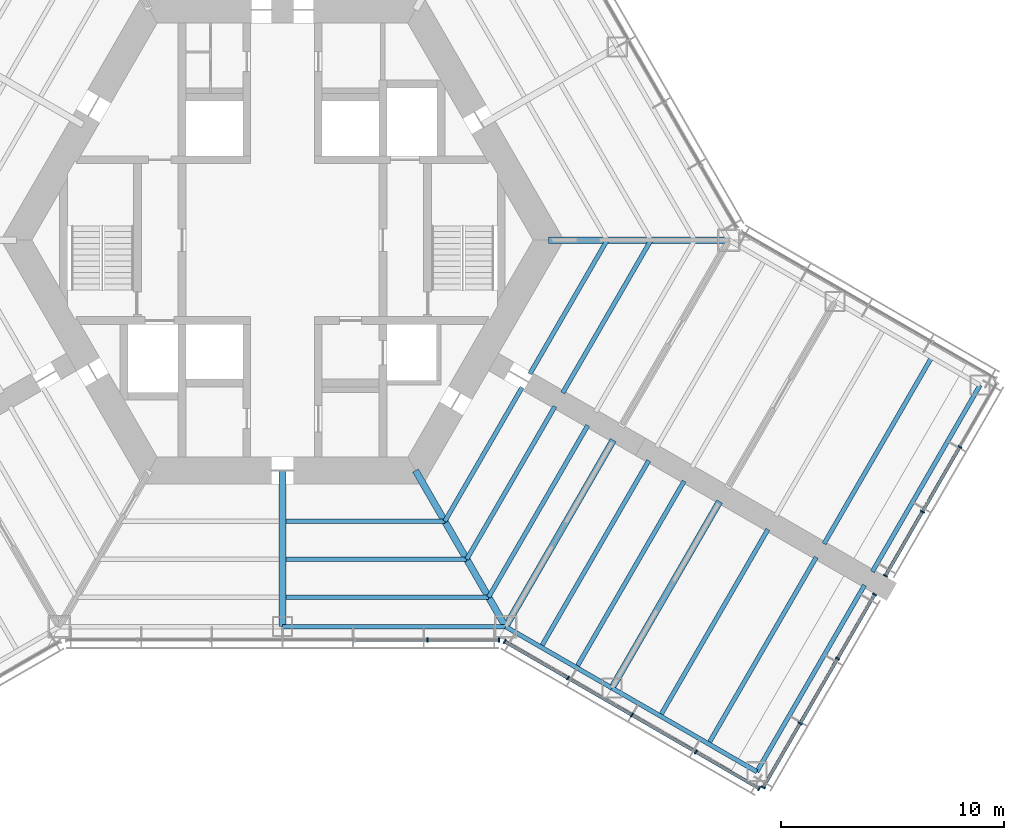
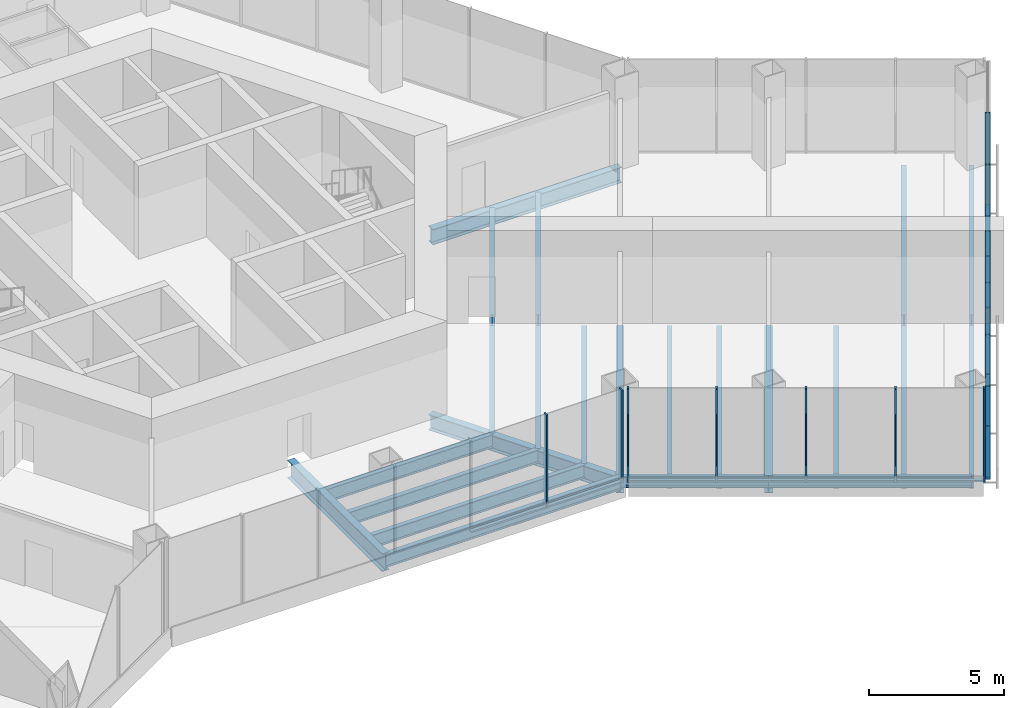
# One storey, part 4 of 15: 25 members, 23 beams, 4 elements without a shape of their own.
"""IFC4 building model written with IfcOpenShell, lengths in metres."""

from ifc_helpers import new_model, si_unit, direction, frame, origin, origin_2d, place, context, subcontext, project, spatial, rectangle, i_section, extrude, material, material_profile, profile_set, type_object, element, aggregate, save


model = new_model("IFC4")

# Units and contexts
model_context = context("Model", 3, precision=1e-05, world=origin(), true_north=direction((0.0, 1.0)))
body_context = subcontext(model_context, "Body", "Model", "MODEL_VIEW")
ifc_project = project(units=[si_unit("LENGTHUNIT", "METRE"), si_unit("AREAUNIT", "SQUARE_METRE"), si_unit("VOLUMEUNIT", "CUBIC_METRE"), si_unit("PLANEANGLEUNIT", "RADIAN"), si_unit("MASSUNIT", "GRAM", prefix="KILO")], contexts=[model_context])

# Site, building, storey
site_placement = place(None, origin())
site = spatial("IfcSite", under=ifc_project, at=site_placement, CompositionType="ELEMENT")
building_placement = place(site_placement, origin())
building = spatial("IfcBuilding", under=site, at=building_placement, Name="Kasaneha Research Tower", CompositionType="ELEMENT")
storey_placement = place(building_placement, frame((0.0, 0.0, 39.39990234375)))
storey = spatial("IfcBuildingStorey", under=building, at=storey_placement, Name="L10", CompositionType="ELEMENT", Elevation=39.39990234375)

# Beams
ifc_material_1 = material(Name="Steel SN490B", Category="steel")
ifc_material_profile_1 = material_profile(ifc_material_1, i_section(OverallWidth=0.199951171875, OverallDepth=0.60009765625, WebThickness=0.010986328125, FlangeThickness=0.01708984375, FilletRadius=0.012939453125, at=origin_2d()), Name="H-600x200x11x17")
ifc_profile_set_1 = profile_set([ifc_material_profile_1], Name="Steel SN490B")
beam_type_1 = type_object("IfcBeamType", Name="B1-2 secondary beam H-600x200x11x17", PredefinedType="JOIST", material=ifc_profile_set_1)
beam_1_placement = place(storey_placement, frame((7.274658203125, -12.60009765625, -0.469970703125), z_axis=(-1.0, 0.0, 0.0), x_axis=(0.0, -1.0, 0.0)))
element("IfcBeam", 1, at=beam_1_placement, inside=storey, type_object=beam_type_1, Name="Secondary beam RS270R1 L10", PredefinedType="JOIST", context=body_context, shape_type="SweptSolid", body=[
    extrude(i_section(OverallWidth=0.199951171875, OverallDepth=0.60009765625, WebThickness=0.010986328125, FlangeThickness=0.01708984375, FilletRadius=0.012939453125, at=origin_2d()), origin(), (0.0, 0.0, 1.0), 7.124755859375),
])
beam_2_placement = place(storey_placement, frame((8.256103515625, -14.300048828125, -0.469970703125), z_axis=(-1.0, 0.0, 0.0), x_axis=(0.0, -1.0, 0.0)))
element("IfcBeam", 2, at=beam_2_placement, inside=storey, type_object=beam_type_1, Name="Secondary beam RS270R2 L10", PredefinedType="JOIST", context=body_context, shape_type="SweptSolid", body=[
    extrude(i_section(OverallWidth=0.199951171875, OverallDepth=0.60009765625, WebThickness=0.010986328125, FlangeThickness=0.01708984375, FilletRadius=0.012939453125, at=origin_2d()), origin(), (0.0, 0.0, 1.0), 8.106201171875),
])
beam_3_placement = place(storey_placement, frame((9.237548828125, -16.0, -0.469970703125), z_axis=(-1.0, 0.0, 0.0), x_axis=(0.0, -1.0, 0.0)))
element("IfcBeam", 3, at=beam_3_placement, inside=storey, type_object=beam_type_1, Name="Secondary beam RS270R3 L10", PredefinedType="JOIST", context=body_context, shape_type="SweptSolid", body=[
    extrude(i_section(OverallWidth=0.199951171875, OverallDepth=0.60009765625, WebThickness=0.010986328125, FlangeThickness=0.01708984375, FilletRadius=0.012939453125, at=origin_2d()), origin(), (0.0, 0.0, 1.0), 9.087646484375),
])
beam_4_placement = place(storey_placement, frame((7.274658203125, -12.60009765625, -0.469970703125), z_axis=(0.499972710878, 0.866041158593, 0.0), x_axis=(-0.866041158593, 0.499972710878, 0.0)))
element("IfcBeam", 4, at=beam_4_placement, inside=storey, type_object=beam_type_1, Name="Secondary beam RS330L1 L10", PredefinedType="JOIST", context=body_context, shape_type="SweptSolid", body=[
    extrude(i_section(OverallWidth=0.199951171875, OverallDepth=0.60009765625, WebThickness=0.010986328125, FlangeThickness=0.01708984375, FilletRadius=0.012939453125, at=origin_2d()), origin(), (0.0, 0.0, 1.0), 6.9248046875),
])
beam_5_placement = place(storey_placement, frame((8.256103515625, -14.300048828125, -0.469970703125), z_axis=(0.500004902938, 0.866022573054, 0.0), x_axis=(-0.866022573054, 0.500004902938, 0.0)))
element("IfcBeam", 5, at=beam_5_placement, inside=storey, type_object=beam_type_1, Name="Secondary beam RS330L2 L10", PredefinedType="JOIST", context=body_context, shape_type="SweptSolid", body=[
    extrude(i_section(OverallWidth=0.199951171875, OverallDepth=0.60009765625, WebThickness=0.010986328125, FlangeThickness=0.01708984375, FilletRadius=0.012939453125, at=origin_2d()), origin(), (0.0, 0.0, 1.0), 7.90625),
])
beam_6_placement = place(storey_placement, frame((9.237548828125, -16.0, -0.469970703125), z_axis=(0.500009382636, 0.866019986649, 0.0), x_axis=(-0.866019986649, 0.500009382636, 0.0)))
element("IfcBeam", 6, at=beam_6_placement, inside=storey, type_object=beam_type_1, Name="Secondary beam RS330L3 L10", PredefinedType="JOIST", context=body_context, shape_type="SweptSolid", body=[
    extrude(i_section(OverallWidth=0.199951171875, OverallDepth=0.60009765625, WebThickness=0.010986328125, FlangeThickness=0.01708984375, FilletRadius=0.012939453125, at=origin_2d()), origin(), (0.0, 0.0, 1.0), 8.887451171875),
])
beam_7_placement = place(storey_placement, frame((14.54931640625, 0.0, -0.469970703125), z_axis=(-0.500014420154, -0.866017078145, 0.0), x_axis=(0.866017078145, -0.500014420154, 0.0)))
element("IfcBeam", 7, at=beam_7_placement, inside=storey, type_object=beam_type_1, Name="Secondary beam RS330R1 L10", PredefinedType="JOIST", context=body_context, shape_type="SweptSolid", body=[
    extrude(i_section(OverallWidth=0.199951171875, OverallDepth=0.60009765625, WebThickness=0.010986328125, FlangeThickness=0.01708984375, FilletRadius=0.012939453125, at=origin_2d()), origin(), (0.0, 0.0, 1.0), 6.924560546875),
])
beam_8_placement = place(storey_placement, frame((16.51220703125, 0.0, -0.469970703125), z_axis=(-0.500004902938, -0.866022573054, 0.0), x_axis=(0.866022573054, -0.500004902938, 0.0)))
element("IfcBeam", 8, at=beam_8_placement, inside=storey, type_object=beam_type_1, Name="Secondary beam RS330R2 L10", PredefinedType="JOIST", context=body_context, shape_type="SweptSolid", body=[
    extrude(i_section(OverallWidth=0.199951171875, OverallDepth=0.60009765625, WebThickness=0.010986328125, FlangeThickness=0.01708984375, FilletRadius=0.012939453125, at=origin_2d()), origin(), (0.0, 0.0, 1.0), 7.90625),
])
ifc_material_2 = material(Name="Steel SN490B", Category="steel")
ifc_material_profile_2 = material_profile(ifc_material_2, i_section(OverallWidth=0.198974609375, OverallDepth=0.595947265625, WebThickness=0.010009765625, FlangeThickness=0.014892578125, FilletRadius=0.012939453125, at=origin_2d()), Name="H-596x199x10x15")
ifc_profile_set_2 = profile_set([ifc_material_profile_2], Name="Steel SN490B")
beam_type_2 = type_object("IfcBeamType", Name="B2-2 secondary beam H-596x199x10x15", PredefinedType="JOIST", material=ifc_profile_set_2)
for number, where, z_axis, x_axis, name in (
    (9, (11.587646484375, -18.237060546875, -0.468017578125), (0.50000569793, 0.866022114058, 0.0), (-0.866022114058, 0.50000569793, 0.0), "Secondary beam WBCP1 L10"),
    (10, (13.175537109375, -19.15380859375, -0.468017578125), (0.499994742786, 0.866028439017, 0.0), (-0.866028439017, 0.499994742786, 0.0), "Secondary beam WBCP2 L10"),
    (11, (16.92822265625, -21.320556640625, -0.468017578125), (0.499994742786, 0.866028439017, 0.0), (-0.866028439017, 0.499994742786, 0.0), "Secondary beam WBCP3 L10"),
    (12, (19.09326171875, -22.570556640625, -0.468017578125), (0.499994742786, 0.866028439017, 0.0), (-0.866028439017, 0.499994742786, 0.0), "Secondary beam WBCP4 L10"),
    (13, (29.09326171875, -5.25, -0.468017578125), (-0.499994742786, -0.866028439017, 0.0), (0.866028439017, -0.499994742786, 0.0), "Secondary beam WBCN4 L10"),
):
    element("IfcBeam", number, at=place(storey_placement, frame(where, z_axis=z_axis, x_axis=x_axis)), inside=storey, type_object=beam_type_2, Name=name, PredefinedType="JOIST", context=body_context, shape_type="SweptSolid", body=[
        extrude(i_section(OverallWidth=0.198974609375, OverallDepth=0.595947265625, WebThickness=0.010009765625, FlangeThickness=0.014892578125, FilletRadius=0.012939453125, at=origin_2d()), origin(), (0.0, 0.0, 1.0), 9.64990234375),
    ])

# Curtain wall, members
ifc_material_3 = material(Name="Glass and aluminium", Category="aluminium")
curtain_wall_type = type_object("IfcCurtainWallType", Name="Dry laboratory curtain wall", PredefinedType="USERDEFINED", material=ifc_material_3)
curtain_wall_1_placement = place(storey_placement, origin())
curtain_wall_1 = element("IfcCurtainWall", 14, at=curtain_wall_1_placement, inside=storey, type_object=curtain_wall_type, Name="CW-L2 L10 run 02a", ObjectType="UNITISED CURTAIN WALL", PredefinedType="USERDEFINED")
ifc_material_4 = material(Name="Aluminium 6063-T6", Category="aluminium")
ifc_material_profile_3 = material_profile(ifc_material_4, rectangle(XDim=0.06494140625, YDim=0.199951171875, at=origin_2d()), Name="CW-L2 mullion 65x200")
ifc_profile_set_3 = profile_set([ifc_material_profile_3], Name="Aluminium 6063-T6")
member_type_1 = type_object("IfcMemberType", Name="CW-L2 mullion", PredefinedType="MULLION", material=ifc_profile_set_3)
member_1_placement = place(storey_placement, frame((6.492919921875, -17.92041015625, 0.0), z_axis=(0.0, 0.0, 1.0), x_axis=(1.0, 0.0, 0.0)))
member_1 = element("IfcMember", 15, at=member_1_placement, type_object=member_type_1, Name="CW-L2 mullion 6", PredefinedType="MULLION", context=body_context, shape_type="SweptSolid", body=[
    extrude(rectangle(XDim=0.06494140625, YDim=0.199951171875, at=origin_2d()), origin(), (0.0, 0.0, 1.0), 4.2001953125),
])
member_2_placement = place(storey_placement, frame((9.706787109375, -17.92041015625, 0.0), z_axis=(0.0, 0.0, 1.0), x_axis=(1.0, 0.0, 0.0)))
member_2 = element("IfcMember", 16, at=member_2_placement, type_object=member_type_1, Name="CW-L2 mullion 7", PredefinedType="MULLION", context=body_context, shape_type="SweptSolid", body=[
    extrude(rectangle(XDim=0.06494140625, YDim=0.199951171875, at=origin_2d()), origin(), (0.0, 0.0, 1.0), 4.2001953125),
])

curtain_wall_2_placement = place(storey_placement, origin())
curtain_wall_2 = element("IfcCurtainWall", 17, at=curtain_wall_2_placement, inside=storey, type_object=curtain_wall_type, Name="CW-L2 L10 run 03a", ObjectType="UNITISED CURTAIN WALL", PredefinedType="USERDEFINED")
member_3_placement = place(storey_placement, frame((9.953857421875, -17.98681640625, 0.0), z_axis=(0.0, 0.0, 1.0), x_axis=(0.866025411464, -0.499999986699, 0.0)))
member_3 = element("IfcMember", 18, at=member_3_placement, type_object=member_type_1, Name="CW-L2 mullion 1", PredefinedType="MULLION", context=body_context, shape_type="SweptSolid", body=[
    extrude(rectangle(XDim=0.06494140625, YDim=0.199951171875, at=origin_2d()), origin(), (0.0, 0.0, 1.0), 4.2001953125),
])
member_4_placement = place(storey_placement, frame((12.792236328125, -19.62548828125, 0.0), z_axis=(0.0, 0.0, 1.0), x_axis=(0.866025411464, -0.499999986699, 0.0)))
member_4 = element("IfcMember", 19, at=member_4_placement, type_object=member_type_1, Name="CW-L2 mullion 2", PredefinedType="MULLION", context=body_context, shape_type="SweptSolid", body=[
    extrude(rectangle(XDim=0.06494140625, YDim=0.199951171875, at=origin_2d()), origin(), (0.0, 0.0, 1.0), 4.2001953125),
])
member_5_placement = place(storey_placement, frame((15.65869140625, -21.2802734375, 0.0), z_axis=(0.0, 0.0, 1.0), x_axis=(0.866025411464, -0.499999986699, 0.0)))
member_5 = element("IfcMember", 20, at=member_5_placement, type_object=member_type_1, Name="CW-L2 mullion 3", PredefinedType="MULLION", context=body_context, shape_type="SweptSolid", body=[
    extrude(rectangle(XDim=0.06494140625, YDim=0.199951171875, at=origin_2d()), origin(), (0.0, 0.0, 1.0), 4.2001953125),
])
member_6_placement = place(storey_placement, frame((18.52490234375, -22.935302734375, 0.0), z_axis=(0.0, 0.0, 1.0), x_axis=(0.866025411464, -0.499999986699, 0.0)))
member_6 = element("IfcMember", 21, at=member_6_placement, type_object=member_type_1, Name="CW-L2 mullion 4", PredefinedType="MULLION", context=body_context, shape_type="SweptSolid", body=[
    extrude(rectangle(XDim=0.06494140625, YDim=0.199951171875, at=origin_2d()), origin(), (0.0, 0.0, 1.0), 4.2001953125),
])
member_7_placement = place(storey_placement, frame((21.36328125, -24.573974609375, 0.0), z_axis=(0.0, 0.0, 1.0), x_axis=(0.866025411464, -0.499999986699, 0.0)))
member_7 = element("IfcMember", 22, at=member_7_placement, type_object=member_type_1, Name="CW-L2 mullion 5", PredefinedType="MULLION", context=body_context, shape_type="SweptSolid", body=[
    extrude(rectangle(XDim=0.06494140625, YDim=0.199951171875, at=origin_2d()), origin(), (0.0, 0.0, 1.0), 4.2001953125),
])

curtain_wall_3_placement = place(storey_placement, origin())
curtain_wall_3 = element("IfcCurtainWall", 23, at=curtain_wall_3_placement, inside=storey, type_object=curtain_wall_type, Name="CW-L2 L10 run 04a", ObjectType="UNITISED CURTAIN WALL", PredefinedType="USERDEFINED")
member_8_placement = place(storey_placement, frame((21.544189453125, -24.525390625, 0.0), z_axis=(0.0, 0.0, 1.0), x_axis=(0.500000011442, 0.866025397178, 0.0)))
member_8 = element("IfcMember", 24, at=member_8_placement, type_object=member_type_1, Name="CW-L2 mullion 1", PredefinedType="MULLION", context=body_context, shape_type="SweptSolid", body=[
    extrude(rectangle(XDim=0.06494140625, YDim=0.199951171875, at=origin_2d()), origin(), (0.0, 0.0, 1.0), 4.2001953125),
])
member_9_placement = place(storey_placement, frame((23.202880859375, -21.65234375, 0.0), z_axis=(0.0, 0.0, 1.0), x_axis=(0.500000011442, 0.866025397178, 0.0)))
member_9 = element("IfcMember", 25, at=member_9_placement, type_object=member_type_1, Name="CW-L2 mullion 2", PredefinedType="MULLION", context=body_context, shape_type="SweptSolid", body=[
    extrude(rectangle(XDim=0.06494140625, YDim=0.199951171875, at=origin_2d()), origin(), (0.0, 0.0, 1.0), 4.2001953125),
])
member_10_placement = place(storey_placement, frame((24.8779296875, -18.751220703125, 0.0), z_axis=(0.0, 0.0, 1.0), x_axis=(0.500000011442, 0.866025397178, 0.0)))
member_10 = element("IfcMember", 26, at=member_10_placement, type_object=member_type_1, Name="CW-L2 mullion 3", PredefinedType="MULLION", context=body_context, shape_type="SweptSolid", body=[
    extrude(rectangle(XDim=0.06494140625, YDim=0.199951171875, at=origin_2d()), origin(), (0.0, 0.0, 1.0), 4.2001953125),
])
member_11_placement = place(storey_placement, frame((26.53662109375, -15.878173828125, 0.0), z_axis=(0.0, 0.0, 1.0), x_axis=(0.500000011442, 0.866025397178, 0.0)))
member_11 = element("IfcMember", 27, at=member_11_placement, type_object=member_type_1, Name="CW-L2 mullion 4", PredefinedType="MULLION", context=body_context, shape_type="SweptSolid", body=[
    extrude(rectangle(XDim=0.06494140625, YDim=0.199951171875, at=origin_2d()), origin(), (0.0, 0.0, 1.0), 4.2001953125),
])

curtain_wall_4_placement = place(storey_placement, origin())
curtain_wall_4 = element("IfcCurtainWall", 28, at=curtain_wall_4_placement, inside=storey, type_object=curtain_wall_type, Name="CW-L2 L10 run 05a", ObjectType="UNITISED CURTAIN WALL", PredefinedType="USERDEFINED")
member_12_placement = place(storey_placement, frame((27.019287109375, -15.04248046875, 0.0), z_axis=(0.0, 0.0, 1.0), x_axis=(0.500000011442, 0.866025397178, 0.0)))
member_12 = element("IfcMember", 29, at=member_12_placement, type_object=member_type_1, Name="CW-L2 mullion 1", PredefinedType="MULLION", context=body_context, shape_type="SweptSolid", body=[
    extrude(rectangle(XDim=0.06494140625, YDim=0.199951171875, at=origin_2d()), origin(), (0.0, 0.0, 1.0), 4.2001953125),
])
member_13_placement = place(storey_placement, frame((28.677978515625, -12.16943359375, 0.0), z_axis=(0.0, 0.0, 1.0), x_axis=(0.500000011442, 0.866025397178, 0.0)))
member_13 = element("IfcMember", 30, at=member_13_placement, type_object=member_type_1, Name="CW-L2 mullion 2", PredefinedType="MULLION", context=body_context, shape_type="SweptSolid", body=[
    extrude(rectangle(XDim=0.06494140625, YDim=0.199951171875, at=origin_2d()), origin(), (0.0, 0.0, 1.0), 4.2001953125),
])
member_14_placement = place(storey_placement, frame((30.35302734375, -9.26806640625, 0.0), z_axis=(0.0, 0.0, 1.0), x_axis=(0.500000011442, 0.866025397178, 0.0)))
member_14 = element("IfcMember", 31, at=member_14_placement, type_object=member_type_1, Name="CW-L2 mullion 3", PredefinedType="MULLION", context=body_context, shape_type="SweptSolid", body=[
    extrude(rectangle(XDim=0.06494140625, YDim=0.199951171875, at=origin_2d()), origin(), (0.0, 0.0, 1.0), 4.2001953125),
])

# Member
ifc_material_5 = material(Name="Aluminium 6063-T6", Category="aluminium")
ifc_material_profile_4 = material_profile(ifc_material_5, rectangle(XDim=0.14990234375, YDim=0.06494140625, at=origin_2d()), Name="CW-L2 transom 150x65")
ifc_profile_set_4 = profile_set([ifc_material_profile_4], Name="Aluminium 6063-T6")
member_type_2 = type_object("IfcMemberType", Name="CW-L2 transom", PredefinedType="USERDEFINED", material=ifc_profile_set_4)
member_15_placement = place(storey_placement, frame((3.27880859375, -17.92041015625, 0.03271484375), z_axis=(1.0, 0.0, 0.0), x_axis=(0.0, 1.0, 0.0)))
member_15 = element("IfcMember", 32, at=member_15_placement, type_object=member_type_2, Name="CW-L2 transom 5", ObjectType="TRANSOM", PredefinedType="USERDEFINED", context=body_context, shape_type="SweptSolid", body=[
    extrude(rectangle(XDim=0.14990234375, YDim=0.06494140625, at=origin_2d()), origin(), (0.0, 0.0, 1.0), 3.181396484375),
])

member_16_placement = place(storey_placement, frame((6.525390625, -17.92041015625, 0.03271484375), z_axis=(1.0, 0.0, 0.0), x_axis=(0.0, 1.0, 0.0)))
member_16 = element("IfcMember", 33, at=member_16_placement, type_object=member_type_2, Name="CW-L2 transom 6", ObjectType="TRANSOM", PredefinedType="USERDEFINED", context=body_context, shape_type="SweptSolid", body=[
    extrude(rectangle(XDim=0.14990234375, YDim=0.06494140625, at=origin_2d()), origin(), (0.0, 0.0, 1.0), 3.14892578125),
])

aggregate(curtain_wall_1, [member_1, member_2, member_15, member_16])

member_17_placement = place(storey_placement, frame((9.982177734375, -18.0029296875, 0.03271484375), z_axis=(0.866022320763, -0.500005339912, 0.0), x_axis=(0.500005339912, 0.866022320763, 0.0)))
member_17 = element("IfcMember", 34, at=member_17_placement, type_object=member_type_2, Name="CW-L2 transom 1", ObjectType="TRANSOM", PredefinedType="USERDEFINED", context=body_context, shape_type="SweptSolid", body=[
    extrude(rectangle(XDim=0.14990234375, YDim=0.06494140625, at=origin_2d()), origin(), (0.0, 0.0, 1.0), 3.21240234375),
])

member_18_placement = place(storey_placement, frame((12.8203125, -19.6416015625, 0.03271484375), z_axis=(0.866002649306, -0.500039409842, 0.0), x_axis=(0.500039409842, 0.866002649306, 0.0)))
member_18 = element("IfcMember", 35, at=member_18_placement, type_object=member_type_2, Name="CW-L2 transom 2", ObjectType="TRANSOM", PredefinedType="USERDEFINED", context=body_context, shape_type="SweptSolid", body=[
    extrude(rectangle(XDim=0.14990234375, YDim=0.06494140625, at=origin_2d()), origin(), (0.0, 0.0, 1.0), 3.244873046875),
])

member_19_placement = place(storey_placement, frame((15.686767578125, -21.296630859375, 0.03271484375), z_axis=(0.866035229914, -0.499982980259, 0.0), x_axis=(0.499982980259, 0.866035229914, 0.0)))
member_19 = element("IfcMember", 36, at=member_19_placement, type_object=member_type_2, Name="CW-L2 transom 3", ObjectType="TRANSOM", PredefinedType="USERDEFINED", context=body_context, shape_type="SweptSolid", body=[
    extrude(rectangle(XDim=0.14990234375, YDim=0.06494140625, at=origin_2d()), origin(), (0.0, 0.0, 1.0), 3.24462890625),
])

member_20_placement = place(storey_placement, frame((18.55322265625, -22.951416015625, 0.03271484375), z_axis=(0.86600331843, -0.500038251005, 0.0), x_axis=(0.500038251005, 0.86600331843, 0.0)))
member_20 = element("IfcMember", 37, at=member_20_placement, type_object=member_type_2, Name="CW-L2 transom 4", ObjectType="TRANSOM", PredefinedType="USERDEFINED", context=body_context, shape_type="SweptSolid", body=[
    extrude(rectangle(XDim=0.14990234375, YDim=0.06494140625, at=origin_2d()), origin(), (0.0, 0.0, 1.0), 3.212158203125),
])

aggregate(curtain_wall_2, [member_3, member_4, member_5, member_6, member_7, member_17, member_18, member_19, member_20])

member_21_placement = place(storey_placement, frame((21.560546875, -24.497314453125, 0.03271484375), z_axis=(0.499973687205, 0.866040594951, 0.0), x_axis=(-0.866040594951, 0.499973687205, 0.0)))
member_21 = element("IfcMember", 38, at=member_21_placement, type_object=member_type_2, Name="CW-L2 transom 1", ObjectType="TRANSOM", PredefinedType="USERDEFINED", context=body_context, shape_type="SweptSolid", body=[
    extrude(rectangle(XDim=0.14990234375, YDim=0.06494140625, at=origin_2d()), origin(), (0.0, 0.0, 1.0), 3.252685546875),
])

member_22_placement = place(storey_placement, frame((23.21923828125, -21.624267578125, 0.03271484375), z_axis=(0.50000765355, 0.86602098496, 0.0), x_axis=(-0.86602098496, 0.50000765355, 0.0)))
member_22 = element("IfcMember", 39, at=member_22_placement, type_object=member_type_2, Name="CW-L2 transom 2", ObjectType="TRANSOM", PredefinedType="USERDEFINED", context=body_context, shape_type="SweptSolid", body=[
    extrude(rectangle(XDim=0.14990234375, YDim=0.06494140625, at=origin_2d()), origin(), (0.0, 0.0, 1.0), 3.28515625),
])

member_23_placement = place(storey_placement, frame((24.894287109375, -18.722900390625, 0.03271484375), z_axis=(0.500006189695, 0.866021830133, 0.0), x_axis=(-0.866021830133, 0.500006189695, 0.0)))
member_23 = element("IfcMember", 40, at=member_23_placement, type_object=member_type_2, Name="CW-L2 transom 3", ObjectType="TRANSOM", PredefinedType="USERDEFINED", context=body_context, shape_type="SweptSolid", body=[
    extrude(rectangle(XDim=0.14990234375, YDim=0.06494140625, at=origin_2d()), origin(), (0.0, 0.0, 1.0), 3.25244140625),
])

aggregate(curtain_wall_3, [member_8, member_9, member_10, member_11, member_21, member_22, member_23])

member_24_placement = place(storey_placement, frame((27.035400390625, -15.01416015625, 0.03271484375), z_axis=(0.500006189695, 0.866021830133, 0.0), x_axis=(-0.866021830133, 0.500006189695, 0.0)))
member_24 = element("IfcMember", 41, at=member_24_placement, type_object=member_type_2, Name="CW-L2 transom 1", ObjectType="TRANSOM", PredefinedType="USERDEFINED", context=body_context, shape_type="SweptSolid", body=[
    extrude(rectangle(XDim=0.14990234375, YDim=0.06494140625, at=origin_2d()), origin(), (0.0, 0.0, 1.0), 3.25244140625),
])

member_25_placement = place(storey_placement, frame((28.694091796875, -12.14111328125, 0.03271484375), z_axis=(0.500039835994, 0.866002403241, 0.0), x_axis=(-0.866002403241, 0.500039835994, 0.0)))
member_25 = element("IfcMember", 42, at=member_25_placement, type_object=member_type_2, Name="CW-L2 transom 2", ObjectType="TRANSOM", PredefinedType="USERDEFINED", context=body_context, shape_type="SweptSolid", body=[
    extrude(rectangle(XDim=0.14990234375, YDim=0.06494140625, at=origin_2d()), origin(), (0.0, 0.0, 1.0), 3.284912109375),
])

aggregate(curtain_wall_4, [member_12, member_13, member_14, member_24, member_25])

# Beams
ifc_material_6 = material(Name="Steel SN490B", Category="steel")
ifc_material_profile_5 = material_profile(ifc_material_6, i_section(OverallWidth=0.300048828125, OverallDepth=0.699951171875, WebThickness=0.012939453125, FlangeThickness=0.02392578125, FilletRadius=0.01806640625, at=origin_2d()), Name="H-700x300x13x24")
ifc_profile_set_5 = profile_set([ifc_material_profile_5], Name="Steel SN490B")
beam_type_3 = type_object("IfcBeamType", Name="G1-2 radial girder H-700x300x13x24", PredefinedType="BEAM", material=ifc_profile_set_5)
beam_9_placement = place(storey_placement, frame((11.92236328125, 0.0, -0.52001953125), z_axis=(1.0, 0.0, 0.0), x_axis=(0.0, 1.0, 0.0)))
element("IfcBeam", 43, at=beam_9_placement, inside=storey, type_object=beam_type_3, Name="Radial girder RV000 L10", PredefinedType="BEAM", context=body_context, shape_type="SweptSolid", body=[
    extrude(i_section(OverallWidth=0.300048828125, OverallDepth=0.699951171875, WebThickness=0.012939453125, FlangeThickness=0.02392578125, FilletRadius=0.01806640625, at=origin_2d()), origin(), (0.0, 0.0, 1.0), 8.07763671875),
])
beam_10_placement = place(storey_placement, frame((5.961181640625, -10.324951171875, -0.52001953125), z_axis=(0.49999105496, -0.866030568144, 0.0), x_axis=(0.866030568144, 0.49999105496, 0.0)))
element("IfcBeam", 44, at=beam_10_placement, inside=storey, type_object=beam_type_3, Name="Radial girder RV300 L10", PredefinedType="BEAM", context=body_context, shape_type="SweptSolid", body=[
    extrude(i_section(OverallWidth=0.300048828125, OverallDepth=0.699951171875, WebThickness=0.012939453125, FlangeThickness=0.02392578125, FilletRadius=0.01806640625, at=origin_2d()), origin(), (0.0, 0.0, 1.0), 8.077880859375),
])
ifc_material_7 = material(Name="Steel SN490B", Category="steel")
ifc_material_profile_6 = material_profile(ifc_material_7, i_section(OverallWidth=0.300048828125, OverallDepth=0.800048828125, WebThickness=0.013916015625, FlangeThickness=0.02587890625, FilletRadius=0.01806640625, at=origin_2d()), Name="H-800x300x14x26")
ifc_profile_set_6 = profile_set([ifc_material_profile_6], Name="Steel SN490B")
beam_type_4 = type_object("IfcBeamType", Name="G2-2 radial girder H-800x300x14x26", PredefinedType="BEAM", material=ifc_profile_set_6)
beam_11_placement = place(storey_placement, frame((0.0, -10.324951171875, -0.56982421875), z_axis=(0.0, -1.0, 0.0), x_axis=(1.0, 0.0, 0.0)))
element("IfcBeam", 45, at=beam_11_placement, inside=storey, type_object=beam_type_4, Name="Radial girder RM270 L10", PredefinedType="BEAM", context=body_context, shape_type="SweptSolid", body=[
    extrude(i_section(OverallWidth=0.300048828125, OverallDepth=0.800048828125, WebThickness=0.013916015625, FlangeThickness=0.02587890625, FilletRadius=0.01806640625, at=origin_2d()), origin(), (0.0, 0.0, 1.0), 6.99560546875),
])
ifc_material_8 = material(Name="Steel SN490B", Category="steel")
ifc_material_profile_7 = material_profile(ifc_material_8, i_section(OverallWidth=0.300048828125, OverallDepth=0.7919921875, WebThickness=0.013916015625, FlangeThickness=0.02197265625, FilletRadius=0.01806640625, at=origin_2d()), Name="H-792x300x14x22")
ifc_profile_set_7 = profile_set([ifc_material_profile_7], Name="Steel SN490B")
beam_type_5 = type_object("IfcBeamType", Name="G3-2 plate edge girder H-792x300x14x22", PredefinedType="BEAM", material=ifc_profile_set_7)
beam_12_placement = place(storey_placement, frame((10.0, -17.320556640625, -0.56591796875), z_axis=(0.499994742786, 0.866028439017, 0.0), x_axis=(-0.866028439017, 0.499994742786, 0.0)))
element("IfcBeam", 46, at=beam_12_placement, inside=storey, type_object=beam_type_5, Name="Plate edge girder PECP L10", PredefinedType="BEAM", context=body_context, shape_type="SweptSolid", body=[
    extrude(i_section(OverallWidth=0.300048828125, OverallDepth=0.7919921875, WebThickness=0.013916015625, FlangeThickness=0.02197265625, FilletRadius=0.01806640625, at=origin_2d()), origin(), (0.0, 0.0, 1.0), 9.64990234375),
])
ifc_material_9 = material(Name="Steel SN490B", Category="steel")
ifc_material_profile_8 = material_profile(ifc_material_9, i_section(OverallWidth=0.300048828125, OverallDepth=0.800048828125, WebThickness=0.013916015625, FlangeThickness=0.02587890625, FilletRadius=0.01806640625, at=origin_2d()), Name="H-800x300x14x26")
ifc_profile_set_8 = profile_set([ifc_material_profile_8], Name="Steel SN490B")
beam_type_6 = type_object("IfcBeamType", Name="G4-2 wing girder H-800x300x14x26", PredefinedType="BEAM", material=ifc_profile_set_8)
beam_13_placement = place(storey_placement, frame((14.76318359375, -20.070556640625, -0.56982421875), z_axis=(0.499994742786, 0.866028439017, 0.0), x_axis=(-0.866028439017, 0.499994742786, 0.0)))
element("IfcBeam", 47, at=beam_13_placement, inside=storey, type_object=beam_type_6, Name="Wing girder WGCP L10", PredefinedType="BEAM", context=body_context, shape_type="SweptSolid", body=[
    extrude(i_section(OverallWidth=0.300048828125, OverallDepth=0.800048828125, WebThickness=0.013916015625, FlangeThickness=0.02587890625, FilletRadius=0.01806640625, at=origin_2d()), origin(), (0.0, 0.0, 1.0), 9.64990234375),
])
ifc_material_10 = material(Name="Steel SN490B", Category="steel")
ifc_material_profile_9 = material_profile(ifc_material_10, i_section(OverallWidth=0.199951171875, OverallDepth=0.60009765625, WebThickness=0.010986328125, FlangeThickness=0.01708984375, FilletRadius=0.012939453125, at=origin_2d()), Name="H-600x200x11x17")
ifc_profile_set_9 = profile_set([ifc_material_profile_9], Name="Steel SN490B")
beam_type_7 = type_object("IfcBeamType", Name="SB1-2 spandrel beam H-600x200x11x17", PredefinedType="SPANDREL", material=ifc_profile_set_9)
beam_14_placement = place(storey_placement, frame((10.0, -17.320556640625, -0.469970703125), z_axis=(-1.0, 0.0, 0.0), x_axis=(0.0, -1.0, 0.0)))
element("IfcBeam", 48, at=beam_14_placement, inside=storey, type_object=beam_type_7, Name="Spandrel beam SR270R L10", PredefinedType="SPANDREL", context=body_context, shape_type="SweptSolid", body=[
    extrude(i_section(OverallWidth=0.199951171875, OverallDepth=0.60009765625, WebThickness=0.010986328125, FlangeThickness=0.01708984375, FilletRadius=0.012939453125, at=origin_2d()), origin(), (0.0, 0.0, 1.0), 10.0),
])
ifc_material_11 = material(Name="Steel SN490B", Category="steel")
ifc_material_profile_10 = material_profile(ifc_material_11, i_section(OverallWidth=0.199951171875, OverallDepth=0.5, WebThickness=0.010009765625, FlangeThickness=0.01611328125, FilletRadius=0.012939453125, at=origin_2d()), Name="H-500x200x10x16")
ifc_profile_set_10 = profile_set([ifc_material_profile_10], Name="Steel SN490B")
beam_type_8 = type_object("IfcBeamType", Name="SB2-2 spandrel beam H-500x200x10x16", PredefinedType="SPANDREL", material=ifc_profile_set_10)
beam_15_placement = place(storey_placement, frame((10.0, -17.320556640625, -0.419921875), z_axis=(0.866027397988, -0.499996545922, 0.0), x_axis=(0.499996545922, 0.866027397988, 0.0)))
element("IfcBeam", 49, at=beam_15_placement, inside=storey, type_object=beam_type_8, Name="Spandrel beam WSCP1 L10", PredefinedType="SPANDREL", context=body_context, shape_type="SweptSolid", body=[
    extrude(i_section(OverallWidth=0.199951171875, OverallDepth=0.5, WebThickness=0.010009765625, FlangeThickness=0.01611328125, FilletRadius=0.012939453125, at=origin_2d()), origin(), (0.0, 0.0, 1.0), 5.5),
])
beam_16_placement = place(storey_placement, frame((14.76318359375, -20.070556640625, -0.419921875), z_axis=(0.866022959057, -0.500004234368, 0.0), x_axis=(0.500004234368, 0.866022959057, 0.0)))
element("IfcBeam", 50, at=beam_16_placement, inside=storey, type_object=beam_type_8, Name="Spandrel beam WSCP2 L10", PredefinedType="SPANDREL", context=body_context, shape_type="SweptSolid", body=[
    extrude(i_section(OverallWidth=0.199951171875, OverallDepth=0.5, WebThickness=0.010009765625, FlangeThickness=0.01611328125, FilletRadius=0.012939453125, at=origin_2d()), origin(), (0.0, 0.0, 1.0), 7.5),
])
ifc_material_12 = material(Name="Steel SN490B", Category="steel")
ifc_material_profile_11 = material_profile(ifc_material_12, i_section(OverallWidth=0.199951171875, OverallDepth=0.60009765625, WebThickness=0.010986328125, FlangeThickness=0.01708984375, FilletRadius=0.012939453125, at=origin_2d()), Name="H-600x200x11x17")
ifc_profile_set_11 = profile_set([ifc_material_profile_11], Name="Steel SN490B")
beam_type_9 = type_object("IfcBeamType", Name="SB3-2 spandrel beam H-600x200x11x17", PredefinedType="SPANDREL", material=ifc_profile_set_11)
for number, where, z_axis, x_axis, name in (
    (51, (21.25830078125, -23.820556640625, -0.469970703125), (0.499994742786, 0.866028439017, 0.0), (-0.866028439017, 0.499994742786, 0.0), "Spandrel beam WTCP L10"),
    (52, (31.25830078125, -6.5, -0.469970703125), (-0.499994742786, -0.866028439017, 0.0), (0.866028439017, -0.499994742786, 0.0), "Spandrel beam WTCN L10"),
):
    element("IfcBeam", number, at=place(storey_placement, frame(where, z_axis=z_axis, x_axis=x_axis)), inside=storey, type_object=beam_type_9, Name=name, PredefinedType="SPANDREL", context=body_context, shape_type="SweptSolid", body=[
        extrude(i_section(OverallWidth=0.199951171875, OverallDepth=0.60009765625, WebThickness=0.010986328125, FlangeThickness=0.01708984375, FilletRadius=0.012939453125, at=origin_2d()), origin(), (0.0, 0.0, 1.0), 9.64990234375),
    ])

save(model, "model.ifc")
